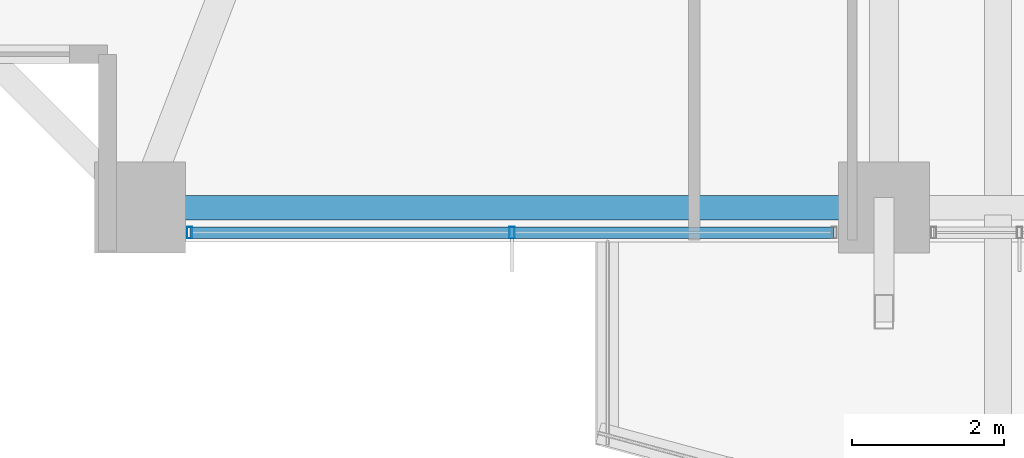
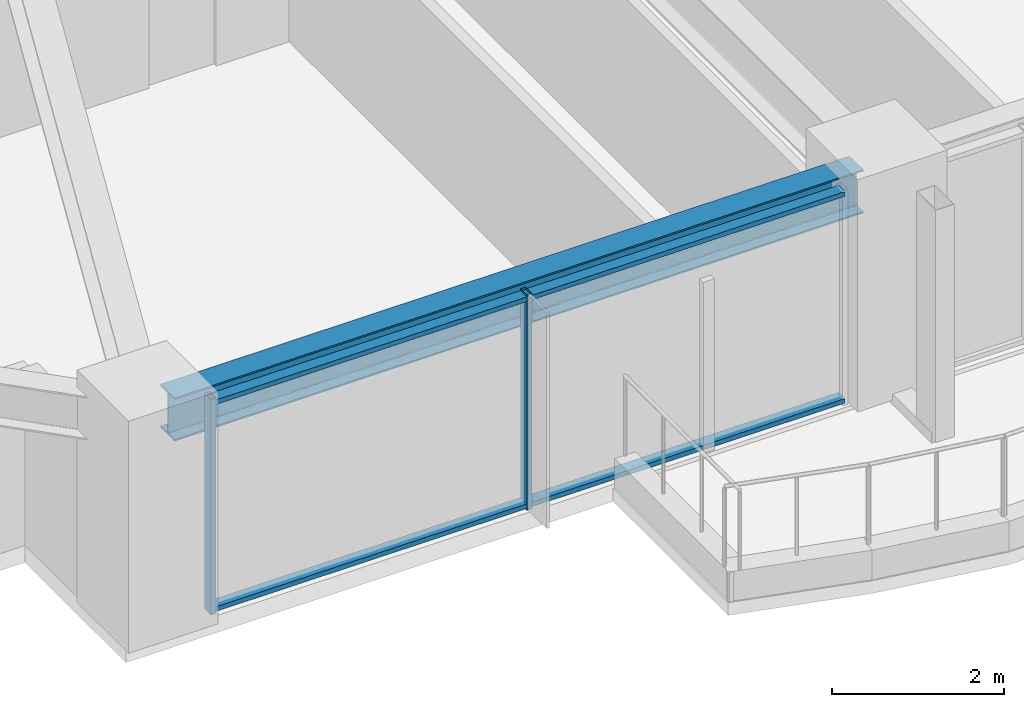
# One storey, part 2 of 38: 4 members, 1 beam, 1 element without a shape of its own.
"""IFC4 building model written with IfcOpenShell, lengths in metres."""

from ifc_helpers import new_model, si_unit, direction, frame, origin, origin_2d, place, context, subcontext, project, spatial, hollow_rectangle, i_section, extrude, material, material_profile, profile_set, type_object, element, aggregate, save


model = new_model("IFC4")

# Units and contexts
model_context = context("Model", 3, precision=1e-05, world=origin(), true_north=direction((0.0, 1.0)))
body_context = subcontext(model_context, "Body", "Model", "MODEL_VIEW")
ifc_project = project(units=[si_unit("LENGTHUNIT", "METRE"), si_unit("AREAUNIT", "SQUARE_METRE"), si_unit("VOLUMEUNIT", "CUBIC_METRE"), si_unit("PLANEANGLEUNIT", "RADIAN"), si_unit("MASSUNIT", "GRAM", prefix="KILO")], contexts=[model_context])

# Site, building, storey
site_placement = place(None, origin())
site = spatial("IfcSite", under=ifc_project, at=site_placement, CompositionType="ELEMENT")
building_placement = place(site_placement, origin())
building = spatial("IfcBuilding", under=site, at=building_placement, Name="Kolvaren Belvedere", CompositionType="ELEMENT")
storey_placement = place(building_placement, frame((0.0, 0.0, 50.199951171875)))
storey = spatial("IfcBuildingStorey", under=building, at=storey_placement, Name="L14", CompositionType="ELEMENT", Elevation=50.199951171875)

# Beam
ifc_material_1 = material(Name="Structural steel ASTM A992 Grade 50", Category="steel")
ifc_material_profile_1 = material_profile(ifc_material_1, i_section(OverallWidth=0.324951171875, OverallDepth=0.615966796875, WebThickness=0.013916015625, FlangeThickness=0.021484375, FilletRadius=0.02001953125, at=origin_2d()), Name="W24X117")
ifc_profile_set_1 = profile_set([ifc_material_profile_1], Name="Structural steel ASTM A992 Grade 50")
beam_type = type_object("IfcBeamType", Name="BM-SPAN-W24X117", PredefinedType="SPANDREL", material=ifc_profile_set_1)
beam_placement = place(storey_placement, frame((-14.1298828125, -21.550048828125, 2.751953125), z_axis=(1.0, 0.0, 0.0), x_axis=(0.0, 1.0, 0.0)))
element("IfcBeam", 1, at=beam_placement, inside=storey, type_object=beam_type, Name="L14 Perimeter Spandrel S1-S2", PredefinedType="SPANDREL", context=body_context, shape_type="SweptSolid", body=[
    extrude(i_section(OverallWidth=0.324951171875, OverallDepth=0.615966796875, WebThickness=0.013916015625, FlangeThickness=0.021484375, FilletRadius=0.02001953125, at=origin_2d()), origin(), (0.0, 0.0, 1.0), 9.259765625),
])

# Curtain wall, members
ifc_material_2 = material(Name="Anodised pale-metal aluminium AA 6063-T6", Category="aluminium")
curtain_wall_type = type_object("IfcCurtainWallType", Name="CW-Z1-LOW", PredefinedType="NOTDEFINED", material=ifc_material_2)
curtain_wall_placement = place(storey_placement, origin())
curtain_wall = element("IfcCurtainWall", 2, at=curtain_wall_placement, inside=storey, type_object=curtain_wall_type, Name="L14 Unitised Curtain Wall FCW-L14-S2-B2", PredefinedType="NOTDEFINED")
ifc_material_3 = material(Name="Anodised pale-metal aluminium AA 6063-T6", Category="aluminium")
ifc_material_profile_2 = material_profile(ifc_material_3, hollow_rectangle(XDim=0.070068359375, YDim=0.14990234375, WallThickness=0.004150390625, at=origin_2d()), Name="ALU-MUL-150X70")
ifc_profile_set_2 = profile_set([ifc_material_profile_2], Name="Anodised pale-metal aluminium AA 6063-T6")
member_type_1 = type_object("IfcMemberType", Name="CW-MUL-150", PredefinedType="MULLION", material=ifc_profile_set_2)
member_1_placement = place(storey_placement, frame((-9.5, -21.8798828125, 0.0), z_axis=(0.0, 0.0, 1.0), x_axis=(1.0, 0.0, 0.0)))
member_1 = element("IfcMember", 3, at=member_1_placement, type_object=member_type_1, Name="FCW-L14-S2-B2 Unitised Mullion 2", PredefinedType="MULLION", context=body_context, shape_type="SweptSolid", body=[
    extrude(hollow_rectangle(XDim=0.070068359375, YDim=0.14990234375, WallThickness=0.004150390625, at=origin_2d()), origin(), (0.0, 0.0, 1.0), 3.06005859375),
])
member_2_placement = place(storey_placement, frame((-13.7451171875, -21.8798828125, 0.0), z_axis=(0.0, 0.0, 1.0), x_axis=(1.0, 0.0, 0.0)))
member_2 = element("IfcMember", 4, at=member_2_placement, type_object=member_type_1, Name="FCW-L14-S2-B2 Unitised Mullion 3", PredefinedType="MULLION", context=body_context, shape_type="SweptSolid", body=[
    extrude(hollow_rectangle(XDim=0.070068359375, YDim=0.14990234375, WallThickness=0.004150390625, at=origin_2d()), origin(), (0.0, 0.0, 1.0), 3.06005859375),
])
ifc_material_4 = material(Name="Anodised pale-metal aluminium AA 6063-T6", Category="aluminium")
ifc_material_profile_3 = material_profile(ifc_material_4, hollow_rectangle(XDim=0.06494140625, YDim=0.14990234375, WallThickness=0.00390625, at=origin_2d()), Name="ALU-TRN-150X65")
ifc_profile_set_3 = profile_set([ifc_material_profile_3], Name="Anodised pale-metal aluminium AA 6063-T6")
member_type_2 = type_object("IfcMemberType", Name="CW-TRN-150", PredefinedType="USERDEFINED", material=ifc_profile_set_3)
member_3_placement = place(storey_placement, frame((-5.2548828125, -21.8798828125, 0.06005859375), z_axis=(-1.0, 0.0, 0.0), x_axis=(0.0, 0.0, 1.0)))
member_3 = element("IfcMember", 5, at=member_3_placement, type_object=member_type_2, Name="FCW-L14-S2-B2 Sill Transom", ObjectType="TRANSOM", PredefinedType="USERDEFINED", context=body_context, shape_type="SweptSolid", body=[
    extrude(hollow_rectangle(XDim=0.06494140625, YDim=0.14990234375, WallThickness=0.00390625, at=origin_2d()), origin(), (0.0, 0.0, 1.0), 8.490234375),
])
member_4_placement = place(storey_placement, frame((-5.2548828125, -21.8798828125, 3.0), z_axis=(-1.0, 0.0, 0.0), x_axis=(0.0, 0.0, 1.0)))
member_4 = element("IfcMember", 6, at=member_4_placement, type_object=member_type_2, Name="FCW-L14-S2-B2 Head Transom", ObjectType="TRANSOM", PredefinedType="USERDEFINED", context=body_context, shape_type="SweptSolid", body=[
    extrude(hollow_rectangle(XDim=0.06494140625, YDim=0.14990234375, WallThickness=0.00390625, at=origin_2d()), origin(), (0.0, 0.0, 1.0), 8.490234375),
])
aggregate(curtain_wall, [member_1, member_2, member_3, member_4])

save(model, "model.ifc")
